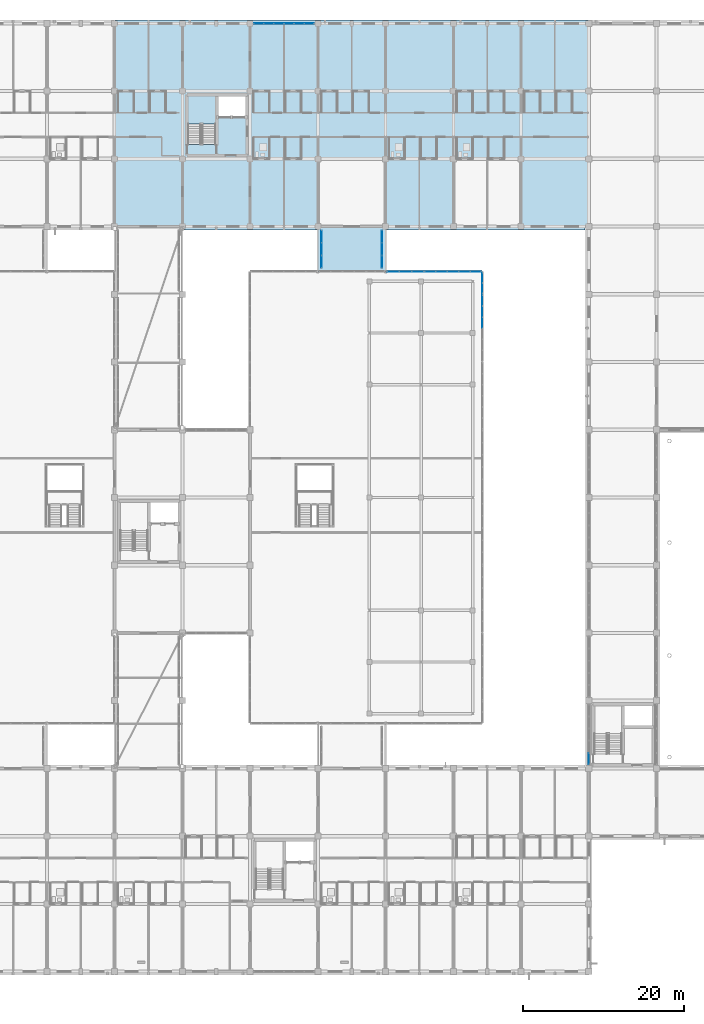
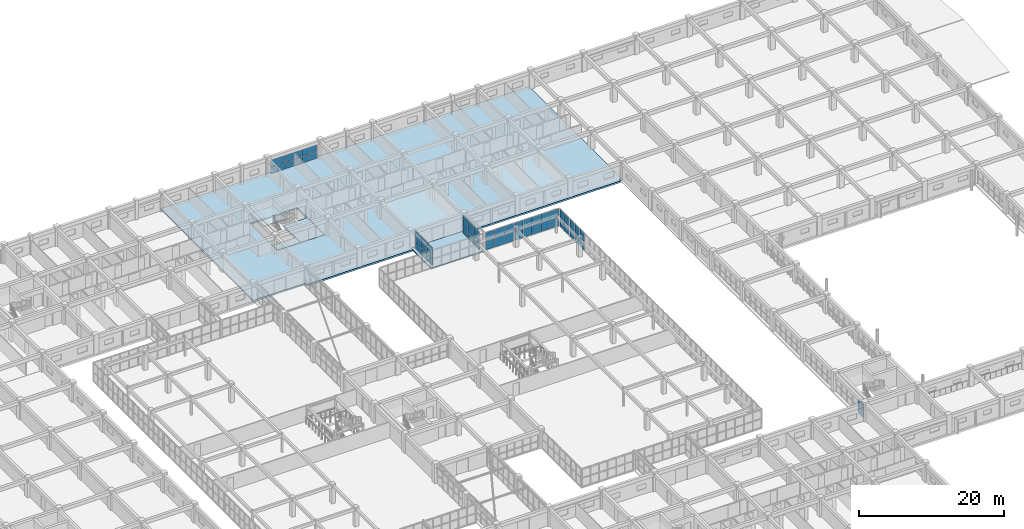
# One storey, part 156 of 200: 52 plates, 5 slabs, 9 elements without a shape of their own.
"""IFC4 building model written with IfcOpenShell, lengths in metres."""

from ifc_helpers import new_model, si_unit, direction, frame, origin, origin_2d, place, context, subcontext, project, spatial, polyline, rectangle, outline, extrude, material, layer, layer_set, type_object, element, aggregate, save


model = new_model("IFC4")

# Units and contexts
model_context = context("Model", 3, precision=1e-05, world=origin(), true_north=direction((0.0, 1.0)))
body_context = subcontext(model_context, "Body", "Model", "MODEL_VIEW")
ifc_project = project(units=[si_unit("LENGTHUNIT", "METRE"), si_unit("AREAUNIT", "SQUARE_METRE"), si_unit("VOLUMEUNIT", "CUBIC_METRE"), si_unit("PLANEANGLEUNIT", "RADIAN"), si_unit("MASSUNIT", "GRAM", prefix="KILO")], contexts=[model_context])

# Site, building, storey
site_placement = place(None, origin())
site = spatial("IfcSite", under=ifc_project, at=site_placement, CompositionType="ELEMENT")
building_placement = place(site_placement, origin())
building = spatial("IfcBuilding", under=site, at=building_placement, Name="Trelvath General Hospital", CompositionType="ELEMENT")
storey_placement = place(building_placement, frame((0.0, 0.0, 4.800048828125)))
storey = spatial("IfcBuildingStorey", under=building, at=storey_placement, Name="L01", CompositionType="ELEMENT", Elevation=4.800048828125)

# Slab
ifc_material_1 = material(Name="Concrete C35/45", Category="concrete")
ifc_layer_1 = layer(ifc_material_1, 0.18994140625)
ifc_layer_set_1 = layer_set([ifc_layer_1], Name="Concrete C35/45")
slab_type_1 = type_object("IfcSlabType", Name="BridgeDeck 190", PredefinedType="FLOOR", material=ifc_layer_set_1)
slab_1_placement = place(storey_placement, frame((0.0, 0.0, -0.18994140625)))
element("IfcSlab", 1, at=slab_1_placement, inside=storey, type_object=slab_type_1, Name="Courtyard Bridge Deck BRG-N-E L01", PredefinedType="FLOOR", context=body_context, shape_type="SweptSolid", body=[
    extrude(outline(polyline([(100.800048828125, 86.800048828125), (109.199951171875, 86.800048828125), (109.199951171875, 92.39990234375), (100.800048828125, 92.39990234375), (100.800048828125, 86.800048828125)])), origin(), (0.0, 0.0, 1.0), 0.18994140625),
])

# Curtain wall, plates
ifc_material_2 = material(Name="Anodised aluminium and low-E glass", Category="aluminium")
ifc_layer_2 = layer(ifc_material_2, 0.14990234375)
ifc_layer_set_2 = layer_set([ifc_layer_2], Name="Anodised aluminium and low-E glass")
curtain_wall_type_1 = type_object("IfcCurtainWallType", Name="CW CrystalCube 463 306 15", PredefinedType="USERDEFINED", material=ifc_layer_set_2)
curtain_wall_1_placement = place(storey_placement, origin())
curtain_wall_1 = element("IfcCurtainWall", 2, at=curtain_wall_1_placement, inside=storey, type_object=curtain_wall_type_1, Name="Crystal Cube Curtain Wall CUBE-E-T0 N4 L01", ObjectType="Unitised Glazed Curtain Wall", PredefinedType="USERDEFINED")
ifc_material_3 = material(Name="Low-E laminated glass", Category="glass")
ifc_layer_3 = layer(ifc_material_3, 0.028076171875)
ifc_layer_set_3 = layer_set([ifc_layer_3], Name="Low-E laminated glass")
plate_type_1 = type_object("IfcPlateType", Name="CurtainPanel Glass28", PredefinedType="CURTAIN_PANEL", material=ifc_layer_set_3)
plate_1_placement = place(storey_placement, frame((110.13671875, 86.800048828125, 0.06005859375), z_axis=(0.0, 0.0, 1.0), x_axis=(1.0, 0.0, 0.0)))
plate_1 = element("IfcPlate", 3, at=plate_1_placement, type_object=plate_type_1, Name="CW-158 panel 1.1", PredefinedType="CURTAIN_PANEL", context=body_context, shape_type="SweptSolid", body=[
    extrude(rectangle(XDim=1.453369140625, YDim=0.028076171875, at=origin_2d()), origin(), (0.0, 0.0, 1.0), 1.43994140625),
])
plate_2_placement = place(storey_placement, frame((110.13671875, 86.800048828125, 1.56005859375), z_axis=(0.0, 0.0, 1.0), x_axis=(1.0, 0.0, 0.0)))
plate_2 = element("IfcPlate", 4, at=plate_2_placement, type_object=plate_type_1, Name="CW-158 panel 1.2", PredefinedType="CURTAIN_PANEL", context=body_context, shape_type="SweptSolid", body=[
    extrude(rectangle(XDim=1.453369140625, YDim=0.028076171875, at=origin_2d()), origin(), (0.0, 0.0, 1.0), 1.43994140625),
])
plate_3_placement = place(storey_placement, frame((111.6650390625, 86.800048828125, 0.06005859375), z_axis=(0.0, 0.0, 1.0), x_axis=(1.0, 0.0, 0.0)))
plate_3 = element("IfcPlate", 5, at=plate_3_placement, type_object=plate_type_1, Name="CW-158 panel 2.1", PredefinedType="CURTAIN_PANEL", context=body_context, shape_type="SweptSolid", body=[
    extrude(rectangle(XDim=1.4833984375, YDim=0.028076171875, at=origin_2d()), origin(), (0.0, 0.0, 1.0), 1.43994140625),
])
plate_4_placement = place(storey_placement, frame((111.6650390625, 86.800048828125, 1.56005859375), z_axis=(0.0, 0.0, 1.0), x_axis=(1.0, 0.0, 0.0)))
plate_4 = element("IfcPlate", 6, at=plate_4_placement, type_object=plate_type_1, Name="CW-158 panel 2.2", PredefinedType="CURTAIN_PANEL", context=body_context, shape_type="SweptSolid", body=[
    extrude(rectangle(XDim=1.4833984375, YDim=0.028076171875, at=origin_2d()), origin(), (0.0, 0.0, 1.0), 1.43994140625),
])
plate_5_placement = place(storey_placement, frame((113.193359375, 86.800048828125, 0.06005859375), z_axis=(0.0, 0.0, 1.0), x_axis=(1.0, 0.0, 0.0)))
plate_5 = element("IfcPlate", 7, at=plate_5_placement, type_object=plate_type_1, Name="CW-158 panel 3.1", PredefinedType="CURTAIN_PANEL", context=body_context, shape_type="SweptSolid", body=[
    extrude(rectangle(XDim=1.453369140625, YDim=0.028076171875, at=origin_2d()), origin(), (0.0, 0.0, 1.0), 1.43994140625),
])
plate_6_placement = place(storey_placement, frame((113.193359375, 86.800048828125, 1.56005859375), z_axis=(0.0, 0.0, 1.0), x_axis=(1.0, 0.0, 0.0)))
plate_6 = element("IfcPlate", 8, at=plate_6_placement, type_object=plate_type_1, Name="CW-158 panel 3.2", PredefinedType="CURTAIN_PANEL", context=body_context, shape_type="SweptSolid", body=[
    extrude(rectangle(XDim=1.453369140625, YDim=0.028076171875, at=origin_2d()), origin(), (0.0, 0.0, 1.0), 1.43994140625),
])
aggregate(curtain_wall_1, [plate_1, plate_2, plate_3, plate_4, plate_5, plate_6])

ifc_material_4 = material(Name="Anodised aluminium and low-E glass", Category="aluminium")
ifc_layer_4 = layer(ifc_material_4, 0.14990234375)
ifc_layer_set_4 = layer_set([ifc_layer_4], Name="Anodised aluminium and low-E glass")
curtain_wall_type_2 = type_object("IfcCurtainWallType", Name="CW CrystalCube 710 306 15", PredefinedType="USERDEFINED", material=ifc_layer_set_4)
curtain_wall_2_placement = place(storey_placement, origin())
curtain_wall_2 = element("IfcCurtainWall", 9, at=curtain_wall_2_placement, inside=storey, type_object=curtain_wall_type_2, Name="Crystal Cube Curtain Wall CUBE-E-T0 N5 L01", ObjectType="Unitised Glazed Curtain Wall", PredefinedType="USERDEFINED")
plate_7_placement = place(storey_placement, frame((114.7451171875, 86.800048828125, 0.06005859375), z_axis=(0.0, 0.0, 1.0), x_axis=(1.0, 0.0, 0.0)))
plate_7 = element("IfcPlate", 10, at=plate_7_placement, type_object=plate_type_1, Name="CW-159 panel 1.1", PredefinedType="CURTAIN_PANEL", context=body_context, shape_type="SweptSolid", body=[
    extrude(rectangle(XDim=1.330078125, YDim=0.028076171875, at=origin_2d()), origin(), (0.0, 0.0, 1.0), 1.43994140625),
])
plate_8_placement = place(storey_placement, frame((114.7451171875, 86.800048828125, 1.56005859375), z_axis=(0.0, 0.0, 1.0), x_axis=(1.0, 0.0, 0.0)))
plate_8 = element("IfcPlate", 11, at=plate_8_placement, type_object=plate_type_1, Name="CW-159 panel 1.2", PredefinedType="CURTAIN_PANEL", context=body_context, shape_type="SweptSolid", body=[
    extrude(rectangle(XDim=1.330078125, YDim=0.028076171875, at=origin_2d()), origin(), (0.0, 0.0, 1.0), 1.43994140625),
])
plate_9_placement = place(storey_placement, frame((116.14990234375, 86.800048828125, 0.06005859375), z_axis=(0.0, 0.0, 1.0), x_axis=(1.0, 0.0, 0.0)))
plate_9 = element("IfcPlate", 12, at=plate_9_placement, type_object=plate_type_1, Name="CW-159 panel 2.1", PredefinedType="CURTAIN_PANEL", context=body_context, shape_type="SweptSolid", body=[
    extrude(rectangle(XDim=1.360107421875, YDim=0.028076171875, at=origin_2d()), origin(), (0.0, 0.0, 1.0), 1.43994140625),
])
plate_10_placement = place(storey_placement, frame((116.14990234375, 86.800048828125, 1.56005859375), z_axis=(0.0, 0.0, 1.0), x_axis=(1.0, 0.0, 0.0)))
plate_10 = element("IfcPlate", 13, at=plate_10_placement, type_object=plate_type_1, Name="CW-159 panel 2.2", PredefinedType="CURTAIN_PANEL", context=body_context, shape_type="SweptSolid", body=[
    extrude(rectangle(XDim=1.360107421875, YDim=0.028076171875, at=origin_2d()), origin(), (0.0, 0.0, 1.0), 1.43994140625),
])
plate_11_placement = place(storey_placement, frame((117.570068359375, 86.800048828125, 0.06005859375), z_axis=(0.0, 0.0, 1.0), x_axis=(1.0, 0.0, 0.0)))
plate_11 = element("IfcPlate", 14, at=plate_11_placement, type_object=plate_type_1, Name="CW-159 panel 3.1", PredefinedType="CURTAIN_PANEL", context=body_context, shape_type="SweptSolid", body=[
    extrude(rectangle(XDim=1.360107421875, YDim=0.028076171875, at=origin_2d()), origin(), (0.0, 0.0, 1.0), 1.43994140625),
])
plate_12_placement = place(storey_placement, frame((117.570068359375, 86.800048828125, 1.56005859375), z_axis=(0.0, 0.0, 1.0), x_axis=(1.0, 0.0, 0.0)))
plate_12 = element("IfcPlate", 15, at=plate_12_placement, type_object=plate_type_1, Name="CW-159 panel 3.2", PredefinedType="CURTAIN_PANEL", context=body_context, shape_type="SweptSolid", body=[
    extrude(rectangle(XDim=1.360107421875, YDim=0.028076171875, at=origin_2d()), origin(), (0.0, 0.0, 1.0), 1.43994140625),
])
plate_13_placement = place(storey_placement, frame((118.989990234375, 86.800048828125, 0.06005859375), z_axis=(0.0, 0.0, 1.0), x_axis=(1.0, 0.0, 0.0)))
plate_13 = element("IfcPlate", 16, at=plate_13_placement, type_object=plate_type_1, Name="CW-159 panel 4.1", PredefinedType="CURTAIN_PANEL", context=body_context, shape_type="SweptSolid", body=[
    extrude(rectangle(XDim=1.360107421875, YDim=0.028076171875, at=origin_2d()), origin(), (0.0, 0.0, 1.0), 1.43994140625),
])
plate_14_placement = place(storey_placement, frame((118.989990234375, 86.800048828125, 1.56005859375), z_axis=(0.0, 0.0, 1.0), x_axis=(1.0, 0.0, 0.0)))
plate_14 = element("IfcPlate", 17, at=plate_14_placement, type_object=plate_type_1, Name="CW-159 panel 4.2", PredefinedType="CURTAIN_PANEL", context=body_context, shape_type="SweptSolid", body=[
    extrude(rectangle(XDim=1.360107421875, YDim=0.028076171875, at=origin_2d()), origin(), (0.0, 0.0, 1.0), 1.43994140625),
])
plate_15_placement = place(storey_placement, frame((120.39501953125, 86.800048828125, 0.06005859375), z_axis=(0.0, 0.0, 1.0), x_axis=(1.0, 0.0, 0.0)))
plate_15 = element("IfcPlate", 18, at=plate_15_placement, type_object=plate_type_1, Name="CW-159 panel 5.1", PredefinedType="CURTAIN_PANEL", context=body_context, shape_type="SweptSolid", body=[
    extrude(rectangle(XDim=1.330078125, YDim=0.028076171875, at=origin_2d()), origin(), (0.0, 0.0, 1.0), 1.43994140625),
])
plate_16_placement = place(storey_placement, frame((120.39501953125, 86.800048828125, 1.56005859375), z_axis=(0.0, 0.0, 1.0), x_axis=(1.0, 0.0, 0.0)))
plate_16 = element("IfcPlate", 19, at=plate_16_placement, type_object=plate_type_1, Name="CW-159 panel 5.2", PredefinedType="CURTAIN_PANEL", context=body_context, shape_type="SweptSolid", body=[
    extrude(rectangle(XDim=1.330078125, YDim=0.028076171875, at=origin_2d()), origin(), (0.0, 0.0, 1.0), 1.43994140625),
])
aggregate(curtain_wall_2, [plate_7, plate_8, plate_9, plate_10, plate_11, plate_12, plate_13, plate_14, plate_15, plate_16])

ifc_material_5 = material(Name="Anodised aluminium and low-E glass", Category="aluminium")
ifc_layer_5 = layer(ifc_material_5, 0.14990234375)
ifc_layer_set_5 = layer_set([ifc_layer_5], Name="Anodised aluminium and low-E glass")
curtain_wall_type_3 = type_object("IfcCurtainWallType", Name="CW CrystalCube 824 306 15", PredefinedType="USERDEFINED", material=ifc_layer_set_5)
curtain_wall_3_placement = place(storey_placement, origin())
curtain_wall_3 = element("IfcCurtainWall", 20, at=curtain_wall_3_placement, inside=storey, type_object=curtain_wall_type_3, Name="Crystal Cube Curtain Wall CUBE-E-T0 E6 L01", ObjectType="Unitised Glazed Curtain Wall", PredefinedType="USERDEFINED")
plate_17_placement = place(storey_placement, frame((121.199951171875, 83.21826171875, 0.06005859375), z_axis=(0.0, 0.0, 1.0), x_axis=(0.0, -1.0, 0.0)))
plate_17 = element("IfcPlate", 21, at=plate_17_placement, type_object=plate_type_1, Name="CW-168 panel 1.1", PredefinedType="CURTAIN_PANEL", context=body_context, shape_type="SweptSolid", body=[
    extrude(rectangle(XDim=1.283447265625, YDim=0.028076171875, at=origin_2d()), origin(), (0.0, 0.0, 1.0), 1.43994140625),
])
plate_18_placement = place(storey_placement, frame((121.199951171875, 83.21826171875, 1.56005859375), z_axis=(0.0, 0.0, 1.0), x_axis=(0.0, -1.0, 0.0)))
plate_18 = element("IfcPlate", 22, at=plate_18_placement, type_object=plate_type_1, Name="CW-168 panel 1.2", PredefinedType="CURTAIN_PANEL", context=body_context, shape_type="SweptSolid", body=[
    extrude(rectangle(XDim=1.283447265625, YDim=0.028076171875, at=origin_2d()), origin(), (0.0, 0.0, 1.0), 1.43994140625),
])
plate_19_placement = place(storey_placement, frame((121.199951171875, 81.860107421875, 0.06005859375), z_axis=(0.0, 0.0, 1.0), x_axis=(0.0, -1.0, 0.0)))
plate_19 = element("IfcPlate", 23, at=plate_19_placement, type_object=plate_type_1, Name="CW-168 panel 2.1", PredefinedType="CURTAIN_PANEL", context=body_context, shape_type="SweptSolid", body=[
    extrude(rectangle(XDim=1.313232421875, YDim=0.028076171875, at=origin_2d()), origin(), (0.0, 0.0, 1.0), 1.43994140625),
])
plate_20_placement = place(storey_placement, frame((121.199951171875, 81.860107421875, 1.56005859375), z_axis=(0.0, 0.0, 1.0), x_axis=(0.0, -1.0, 0.0)))
plate_20 = element("IfcPlate", 24, at=plate_20_placement, type_object=plate_type_1, Name="CW-168 panel 2.2", PredefinedType="CURTAIN_PANEL", context=body_context, shape_type="SweptSolid", body=[
    extrude(rectangle(XDim=1.313232421875, YDim=0.028076171875, at=origin_2d()), origin(), (0.0, 0.0, 1.0), 1.43994140625),
])
plate_21_placement = place(storey_placement, frame((121.199951171875, 80.486572265625, 0.06005859375), z_axis=(0.0, 0.0, 1.0), x_axis=(0.0, -1.0, 0.0)))
plate_21 = element("IfcPlate", 25, at=plate_21_placement, type_object=plate_type_1, Name="CW-168 panel 3.1", PredefinedType="CURTAIN_PANEL", context=body_context, shape_type="SweptSolid", body=[
    extrude(rectangle(XDim=1.313232421875, YDim=0.028076171875, at=origin_2d()), origin(), (0.0, 0.0, 1.0), 1.43994140625),
])
plate_22_placement = place(storey_placement, frame((121.199951171875, 80.486572265625, 1.56005859375), z_axis=(0.0, 0.0, 1.0), x_axis=(0.0, -1.0, 0.0)))
plate_22 = element("IfcPlate", 26, at=plate_22_placement, type_object=plate_type_1, Name="CW-168 panel 3.2", PredefinedType="CURTAIN_PANEL", context=body_context, shape_type="SweptSolid", body=[
    extrude(rectangle(XDim=1.313232421875, YDim=0.028076171875, at=origin_2d()), origin(), (0.0, 0.0, 1.0), 1.43994140625),
])
aggregate(curtain_wall_3, [plate_17, plate_18, plate_19, plate_20, plate_21, plate_22])

ifc_material_6 = material(Name="Anodised aluminium and low-E glass", Category="aluminium")
ifc_layer_6 = layer(ifc_material_6, 0.14990234375)
ifc_layer_set_6 = layer_set([ifc_layer_6], Name="Anodised aluminium and low-E glass")
curtain_wall_type_4 = type_object("IfcCurtainWallType", Name="CW CrystalCube 264 306 15", PredefinedType="USERDEFINED", material=ifc_layer_set_6)
curtain_wall_4_placement = place(storey_placement, origin())
curtain_wall_4 = element("IfcCurtainWall", 27, at=curtain_wall_4_placement, inside=storey, type_object=curtain_wall_type_4, Name="Crystal Cube Curtain Wall CUBE-E-T0 E7 L01", ObjectType="Unitised Glazed Curtain Wall", PredefinedType="USERDEFINED")
plate_23_placement = place(storey_placement, frame((121.199951171875, 86.044921875, 0.06005859375), z_axis=(0.0, 0.0, 1.0), x_axis=(0.0, -1.0, 0.0)))
plate_23 = element("IfcPlate", 28, at=plate_23_placement, type_object=plate_type_1, Name="CW-170 panel 1.1", PredefinedType="CURTAIN_PANEL", context=body_context, shape_type="SweptSolid", body=[
    extrude(rectangle(XDim=1.22998046875, YDim=0.028076171875, at=origin_2d()), origin(), (0.0, 0.0, 1.0), 1.43994140625),
])
plate_24_placement = place(storey_placement, frame((121.199951171875, 86.044921875, 1.56005859375), z_axis=(0.0, 0.0, 1.0), x_axis=(0.0, -1.0, 0.0)))
plate_24 = element("IfcPlate", 29, at=plate_24_placement, type_object=plate_type_1, Name="CW-170 panel 1.2", PredefinedType="CURTAIN_PANEL", context=body_context, shape_type="SweptSolid", body=[
    extrude(rectangle(XDim=1.22998046875, YDim=0.028076171875, at=origin_2d()), origin(), (0.0, 0.0, 1.0), 1.43994140625),
])
plate_25_placement = place(storey_placement, frame((121.199951171875, 84.7548828125, 0.06005859375), z_axis=(0.0, 0.0, 1.0), x_axis=(0.0, -1.0, 0.0)))
plate_25 = element("IfcPlate", 30, at=plate_25_placement, type_object=plate_type_1, Name="CW-170 panel 2.1", PredefinedType="CURTAIN_PANEL", context=body_context, shape_type="SweptSolid", body=[
    extrude(rectangle(XDim=1.22998046875, YDim=0.028076171875, at=origin_2d()), origin(), (0.0, 0.0, 1.0), 1.43994140625),
])
plate_26_placement = place(storey_placement, frame((121.199951171875, 84.7548828125, 1.56005859375), z_axis=(0.0, 0.0, 1.0), x_axis=(0.0, -1.0, 0.0)))
plate_26 = element("IfcPlate", 31, at=plate_26_placement, type_object=plate_type_1, Name="CW-170 panel 2.2", PredefinedType="CURTAIN_PANEL", context=body_context, shape_type="SweptSolid", body=[
    extrude(rectangle(XDim=1.22998046875, YDim=0.028076171875, at=origin_2d()), origin(), (0.0, 0.0, 1.0), 1.43994140625),
])
aggregate(curtain_wall_4, [plate_23, plate_24, plate_25, plate_26])

ifc_material_7 = material(Name="Anodised aluminium and low-E glass", Category="aluminium")
ifc_layer_7 = layer(ifc_material_7, 0.139892578125)
ifc_layer_set_7 = layer_set([ifc_layer_7], Name="Anodised aluminium and low-E glass")
curtain_wall_type_5 = type_object("IfcCurtainWallType", Name="CW Bridge 472 311", PredefinedType="USERDEFINED", material=ifc_layer_set_7)
curtain_wall_5_placement = place(storey_placement, origin())
curtain_wall_5 = element("IfcCurtainWall", 32, at=curtain_wall_5_placement, inside=storey, type_object=curtain_wall_type_5, Name="Glazed Bridge Curtain Wall BRG-N-E W L01", ObjectType="Unitised Glazed Curtain Wall", PredefinedType="USERDEFINED")
plate_27_placement = place(storey_placement, frame((101.239990234375, 88.041748046875, 0.06005859375), z_axis=(0.0, 0.0, 1.0), x_axis=(0.0, 1.0, 0.0)))
plate_27 = element("IfcPlate", 33, at=plate_27_placement, type_object=plate_type_1, Name="CW-186 panel 1.1", PredefinedType="CURTAIN_PANEL", context=body_context, shape_type="SweptSolid", body=[
    extrude(rectangle(XDim=1.4833984375, YDim=0.028076171875, at=origin_2d()), origin(), (0.0, 0.0, 1.0), 1.010009765625),
])
plate_28_placement = place(storey_placement, frame((101.239990234375, 88.041748046875, 1.1298828125), z_axis=(0.0, 0.0, 1.0), x_axis=(0.0, 1.0, 0.0)))
plate_28 = element("IfcPlate", 34, at=plate_28_placement, type_object=plate_type_1, Name="CW-186 panel 1.2", PredefinedType="CURTAIN_PANEL", context=body_context, shape_type="SweptSolid", body=[
    extrude(rectangle(XDim=1.4833984375, YDim=0.028076171875, at=origin_2d()), origin(), (0.0, 0.0, 1.0), 1.919921875),
])
plate_29_placement = place(storey_placement, frame((101.239990234375, 89.60009765625, 0.06005859375), z_axis=(0.0, 0.0, 1.0), x_axis=(0.0, 1.0, 0.0)))
plate_29 = element("IfcPlate", 35, at=plate_29_placement, type_object=plate_type_1, Name="CW-186 panel 2.1", PredefinedType="CURTAIN_PANEL", context=body_context, shape_type="SweptSolid", body=[
    extrude(rectangle(XDim=1.513427734375, YDim=0.028076171875, at=origin_2d()), origin(), (0.0, 0.0, 1.0), 1.010009765625),
])
plate_30_placement = place(storey_placement, frame((101.239990234375, 89.60009765625, 1.1298828125), z_axis=(0.0, 0.0, 1.0), x_axis=(0.0, 1.0, 0.0)))
plate_30 = element("IfcPlate", 36, at=plate_30_placement, type_object=plate_type_1, Name="CW-186 panel 2.2", PredefinedType="CURTAIN_PANEL", context=body_context, shape_type="SweptSolid", body=[
    extrude(rectangle(XDim=1.513427734375, YDim=0.028076171875, at=origin_2d()), origin(), (0.0, 0.0, 1.0), 1.919921875),
])
plate_31_placement = place(storey_placement, frame((101.239990234375, 91.158447265625, 0.06005859375), z_axis=(0.0, 0.0, 1.0), x_axis=(0.0, 1.0, 0.0)))
plate_31 = element("IfcPlate", 37, at=plate_31_placement, type_object=plate_type_1, Name="CW-186 panel 3.1", PredefinedType="CURTAIN_PANEL", context=body_context, shape_type="SweptSolid", body=[
    extrude(rectangle(XDim=1.4833984375, YDim=0.028076171875, at=origin_2d()), origin(), (0.0, 0.0, 1.0), 1.010009765625),
])
plate_32_placement = place(storey_placement, frame((101.239990234375, 91.158447265625, 1.1298828125), z_axis=(0.0, 0.0, 1.0), x_axis=(0.0, 1.0, 0.0)))
plate_32 = element("IfcPlate", 38, at=plate_32_placement, type_object=plate_type_1, Name="CW-186 panel 3.2", PredefinedType="CURTAIN_PANEL", context=body_context, shape_type="SweptSolid", body=[
    extrude(rectangle(XDim=1.4833984375, YDim=0.028076171875, at=origin_2d()), origin(), (0.0, 0.0, 1.0), 1.919921875),
])
aggregate(curtain_wall_5, [plate_27, plate_28, plate_29, plate_30, plate_31, plate_32])

curtain_wall_6_placement = place(storey_placement, origin())
curtain_wall_6 = element("IfcCurtainWall", 39, at=curtain_wall_6_placement, inside=storey, type_object=curtain_wall_type_5, Name="Glazed Bridge Curtain Wall BRG-N-E E L01", ObjectType="Unitised Glazed Curtain Wall", PredefinedType="USERDEFINED")
plate_33_placement = place(storey_placement, frame((108.760009765625, 91.158447265625, 0.06005859375), z_axis=(0.0, 0.0, 1.0), x_axis=(0.0, -1.0, 0.0)))
plate_33 = element("IfcPlate", 40, at=plate_33_placement, type_object=plate_type_1, Name="CW-187 panel 1.1", PredefinedType="CURTAIN_PANEL", context=body_context, shape_type="SweptSolid", body=[
    extrude(rectangle(XDim=1.4833984375, YDim=0.028076171875, at=origin_2d()), origin(), (0.0, 0.0, 1.0), 1.010009765625),
])
plate_34_placement = place(storey_placement, frame((108.760009765625, 91.158447265625, 1.1298828125), z_axis=(0.0, 0.0, 1.0), x_axis=(0.0, -1.0, 0.0)))
plate_34 = element("IfcPlate", 41, at=plate_34_placement, type_object=plate_type_1, Name="CW-187 panel 1.2", PredefinedType="CURTAIN_PANEL", context=body_context, shape_type="SweptSolid", body=[
    extrude(rectangle(XDim=1.4833984375, YDim=0.028076171875, at=origin_2d()), origin(), (0.0, 0.0, 1.0), 1.919921875),
])
plate_35_placement = place(storey_placement, frame((108.760009765625, 89.60009765625, 0.06005859375), z_axis=(0.0, 0.0, 1.0), x_axis=(0.0, -1.0, 0.0)))
plate_35 = element("IfcPlate", 42, at=plate_35_placement, type_object=plate_type_1, Name="CW-187 panel 2.1", PredefinedType="CURTAIN_PANEL", context=body_context, shape_type="SweptSolid", body=[
    extrude(rectangle(XDim=1.513427734375, YDim=0.028076171875, at=origin_2d()), origin(), (0.0, 0.0, 1.0), 1.010009765625),
])
plate_36_placement = place(storey_placement, frame((108.760009765625, 89.60009765625, 1.1298828125), z_axis=(0.0, 0.0, 1.0), x_axis=(0.0, -1.0, 0.0)))
plate_36 = element("IfcPlate", 43, at=plate_36_placement, type_object=plate_type_1, Name="CW-187 panel 2.2", PredefinedType="CURTAIN_PANEL", context=body_context, shape_type="SweptSolid", body=[
    extrude(rectangle(XDim=1.513427734375, YDim=0.028076171875, at=origin_2d()), origin(), (0.0, 0.0, 1.0), 1.919921875),
])
plate_37_placement = place(storey_placement, frame((108.760009765625, 88.041748046875, 0.06005859375), z_axis=(0.0, 0.0, 1.0), x_axis=(0.0, -1.0, 0.0)))
plate_37 = element("IfcPlate", 44, at=plate_37_placement, type_object=plate_type_1, Name="CW-187 panel 3.1", PredefinedType="CURTAIN_PANEL", context=body_context, shape_type="SweptSolid", body=[
    extrude(rectangle(XDim=1.4833984375, YDim=0.028076171875, at=origin_2d()), origin(), (0.0, 0.0, 1.0), 1.010009765625),
])
plate_38_placement = place(storey_placement, frame((108.760009765625, 88.041748046875, 1.1298828125), z_axis=(0.0, 0.0, 1.0), x_axis=(0.0, -1.0, 0.0)))
plate_38 = element("IfcPlate", 45, at=plate_38_placement, type_object=plate_type_1, Name="CW-187 panel 3.2", PredefinedType="CURTAIN_PANEL", context=body_context, shape_type="SweptSolid", body=[
    extrude(rectangle(XDim=1.4833984375, YDim=0.028076171875, at=origin_2d()), origin(), (0.0, 0.0, 1.0), 1.919921875),
])
aggregate(curtain_wall_6, [plate_33, plate_34, plate_35, plate_36, plate_37, plate_38])

ifc_material_8 = material(Name="Anodised aluminium and low-E glass", Category="aluminium")
ifc_layer_8 = layer(ifc_material_8, 0.179931640625)
ifc_layer_set_8 = layer_set([ifc_layer_8], Name="Anodised aluminium and low-E glass")
curtain_wall_type_6 = type_object("IfcCurtainWallType", Name="CW Facade 754 242 18", PredefinedType="USERDEFINED", material=ifc_layer_set_8)
curtain_wall_7_placement = place(storey_placement, origin())
curtain_wall_7 = element("IfcCurtainWall", 46, at=curtain_wall_7_placement, inside=storey, type_object=curtain_wall_type_6, Name="Facade Curtain Wall CW-020", ObjectType="Unitised Glazed Curtain Wall", PredefinedType="USERDEFINED")
ifc_material_9 = material(Name="Low-E laminated glass", Category="glass")
ifc_layer_9 = layer(ifc_material_9, 0.035888671875)
ifc_layer_set_9 = layer_set([ifc_layer_9], Name="Low-E laminated glass")
plate_type_2 = type_object("IfcPlateType", Name="CurtainPanel Glass36", PredefinedType="CURTAIN_PANEL", material=ifc_layer_set_9)
plate_39_placement = place(storey_placement, frame((134.39990234375, 26.400146484375, 0.06494140625), z_axis=(0.0, 0.0, 1.0), x_axis=(0.0, 1.0, 0.0)))
plate_39 = element("IfcPlate", 47, at=plate_39_placement, type_object=plate_type_2, Name="CW-020 panel 1.1", PredefinedType="CURTAIN_PANEL", context=body_context, shape_type="SweptSolid", body=[
    extrude(rectangle(XDim=1.410400390625, YDim=0.035888671875, at=origin_2d()), origin(), (0.0, 0.0, 1.0), 1.064453125),
])
plate_40_placement = place(storey_placement, frame((134.39990234375, 26.400146484375, 1.1943359375), z_axis=(0.0, 0.0, 1.0), x_axis=(0.0, 1.0, 0.0)))
plate_40 = element("IfcPlate", 48, at=plate_40_placement, type_object=plate_type_2, Name="CW-020 panel 1.2", PredefinedType="CURTAIN_PANEL", context=body_context, shape_type="SweptSolid", body=[
    extrude(rectangle(XDim=1.410400390625, YDim=0.035888671875, at=origin_2d()), origin(), (0.0, 0.0, 1.0), 1.160400390625),
])
aggregate(curtain_wall_7, [plate_39, plate_40])

ifc_material_10 = material(Name="Anodised aluminium and low-E glass", Category="aluminium")
ifc_layer_10 = layer(ifc_material_10, 0.159912109375)
ifc_layer_set_10 = layer_set([ifc_layer_10], Name="Anodised aluminium and low-E glass")
curtain_wall_type_7 = type_object("IfcCurtainWallType", Name="CW Facade 754 242 16", PredefinedType="USERDEFINED", material=ifc_layer_set_10)
curtain_wall_8_placement = place(storey_placement, origin())
curtain_wall_8 = element("IfcCurtainWall", 49, at=curtain_wall_8_placement, inside=storey, type_object=curtain_wall_type_7, Name="Facade Curtain Wall CW-019", ObjectType="Unitised Glazed Curtain Wall", PredefinedType="USERDEFINED")
ifc_material_11 = material(Name="Insulated aluminium spandrel", Category="aluminium")
ifc_layer_11 = layer(ifc_material_11, 0.0439453125)
ifc_layer_set_11 = layer_set([ifc_layer_11], Name="Insulated aluminium spandrel")
plate_type_3 = type_object("IfcPlateType", Name="CurtainPanel Spandrel44", PredefinedType="CURTAIN_PANEL", material=ifc_layer_set_11)
plate_41_placement = place(storey_placement, frame((93.473388671875, 117.60009765625, 0.06005859375), z_axis=(0.0, 0.0, 1.0), x_axis=(1.0, 0.0, 0.0)))
plate_41 = element("IfcPlate", 50, at=plate_41_placement, type_object=plate_type_3, Name="CW-019 panel 1.1", PredefinedType="CURTAIN_PANEL", context=body_context, shape_type="SweptSolid", body=[
    extrude(rectangle(XDim=1.166748046875, YDim=0.0439453125, at=origin_2d()), origin(), (0.0, 0.0, 1.0), 1.072021484375),
])
plate_42_placement = place(storey_placement, frame((93.473388671875, 117.60009765625, 1.19189453125), z_axis=(0.0, 0.0, 1.0), x_axis=(1.0, 0.0, 0.0)))
plate_42 = element("IfcPlate", 51, at=plate_42_placement, type_object=plate_type_3, Name="CW-019 panel 1.2", PredefinedType="CURTAIN_PANEL", context=body_context, shape_type="SweptSolid", body=[
    extrude(rectangle(XDim=1.166748046875, YDim=0.0439453125, at=origin_2d()), origin(), (0.0, 0.0, 1.0), 1.16796875),
])
plate_43_placement = place(storey_placement, frame((94.715087890625, 117.60009765625, 0.06005859375), z_axis=(0.0, 0.0, 1.0), x_axis=(1.0, 0.0, 0.0)))
plate_43 = element("IfcPlate", 52, at=plate_43_placement, type_object=plate_type_3, Name="CW-019 panel 2.1", PredefinedType="CURTAIN_PANEL", context=body_context, shape_type="SweptSolid", body=[
    extrude(rectangle(XDim=1.19677734375, YDim=0.0439453125, at=origin_2d()), origin(), (0.0, 0.0, 1.0), 1.072021484375),
])
plate_44_placement = place(storey_placement, frame((94.715087890625, 117.60009765625, 1.19189453125), z_axis=(0.0, 0.0, 1.0), x_axis=(1.0, 0.0, 0.0)))
plate_44 = element("IfcPlate", 53, at=plate_44_placement, type_object=plate_type_3, Name="CW-019 panel 2.2", PredefinedType="CURTAIN_PANEL", context=body_context, shape_type="SweptSolid", body=[
    extrude(rectangle(XDim=1.19677734375, YDim=0.0439453125, at=origin_2d()), origin(), (0.0, 0.0, 1.0), 1.16796875),
])
plate_45_placement = place(storey_placement, frame((95.9716796875, 117.60009765625, 0.06005859375), z_axis=(0.0, 0.0, 1.0), x_axis=(1.0, 0.0, 0.0)))
plate_45 = element("IfcPlate", 54, at=plate_45_placement, type_object=plate_type_3, Name="CW-019 panel 3.1", PredefinedType="CURTAIN_PANEL", context=body_context, shape_type="SweptSolid", body=[
    extrude(rectangle(XDim=1.19677734375, YDim=0.0439453125, at=origin_2d()), origin(), (0.0, 0.0, 1.0), 1.072021484375),
])
plate_46_placement = place(storey_placement, frame((95.9716796875, 117.60009765625, 1.19189453125), z_axis=(0.0, 0.0, 1.0), x_axis=(1.0, 0.0, 0.0)))
plate_46 = element("IfcPlate", 55, at=plate_46_placement, type_object=plate_type_3, Name="CW-019 panel 3.2", PredefinedType="CURTAIN_PANEL", context=body_context, shape_type="SweptSolid", body=[
    extrude(rectangle(XDim=1.19677734375, YDim=0.0439453125, at=origin_2d()), origin(), (0.0, 0.0, 1.0), 1.16796875),
])
plate_47_placement = place(storey_placement, frame((97.228271484375, 117.60009765625, 0.06005859375), z_axis=(0.0, 0.0, 1.0), x_axis=(1.0, 0.0, 0.0)))
plate_47 = element("IfcPlate", 56, at=plate_47_placement, type_object=plate_type_3, Name="CW-019 panel 4.1", PredefinedType="CURTAIN_PANEL", context=body_context, shape_type="SweptSolid", body=[
    extrude(rectangle(XDim=1.19677734375, YDim=0.0439453125, at=origin_2d()), origin(), (0.0, 0.0, 1.0), 1.072021484375),
])
plate_48_placement = place(storey_placement, frame((97.228271484375, 117.60009765625, 1.19189453125), z_axis=(0.0, 0.0, 1.0), x_axis=(1.0, 0.0, 0.0)))
plate_48 = element("IfcPlate", 57, at=plate_48_placement, type_object=plate_type_3, Name="CW-019 panel 4.2", PredefinedType="CURTAIN_PANEL", context=body_context, shape_type="SweptSolid", body=[
    extrude(rectangle(XDim=1.19677734375, YDim=0.0439453125, at=origin_2d()), origin(), (0.0, 0.0, 1.0), 1.16796875),
])
plate_49_placement = place(storey_placement, frame((98.485107421875, 117.60009765625, 0.06005859375), z_axis=(0.0, 0.0, 1.0), x_axis=(1.0, 0.0, 0.0)))
plate_49 = element("IfcPlate", 58, at=plate_49_placement, type_object=plate_type_3, Name="CW-019 panel 5.1", PredefinedType="CURTAIN_PANEL", context=body_context, shape_type="SweptSolid", body=[
    extrude(rectangle(XDim=1.19677734375, YDim=0.0439453125, at=origin_2d()), origin(), (0.0, 0.0, 1.0), 1.072021484375),
])
plate_50_placement = place(storey_placement, frame((98.485107421875, 117.60009765625, 1.19189453125), z_axis=(0.0, 0.0, 1.0), x_axis=(1.0, 0.0, 0.0)))
plate_50 = element("IfcPlate", 59, at=plate_50_placement, type_object=plate_type_3, Name="CW-019 panel 5.2", PredefinedType="CURTAIN_PANEL", context=body_context, shape_type="SweptSolid", body=[
    extrude(rectangle(XDim=1.19677734375, YDim=0.0439453125, at=origin_2d()), origin(), (0.0, 0.0, 1.0), 1.16796875),
])
plate_51_placement = place(storey_placement, frame((99.7265625, 117.60009765625, 0.06005859375), z_axis=(0.0, 0.0, 1.0), x_axis=(1.0, 0.0, 0.0)))
plate_51 = element("IfcPlate", 60, at=plate_51_placement, type_object=plate_type_3, Name="CW-019 panel 6.1", PredefinedType="CURTAIN_PANEL", context=body_context, shape_type="SweptSolid", body=[
    extrude(rectangle(XDim=1.166748046875, YDim=0.0439453125, at=origin_2d()), origin(), (0.0, 0.0, 1.0), 1.072021484375),
])
plate_52_placement = place(storey_placement, frame((99.7265625, 117.60009765625, 1.19189453125), z_axis=(0.0, 0.0, 1.0), x_axis=(1.0, 0.0, 0.0)))
plate_52 = element("IfcPlate", 61, at=plate_52_placement, type_object=plate_type_3, Name="CW-019 panel 6.2", PredefinedType="CURTAIN_PANEL", context=body_context, shape_type="SweptSolid", body=[
    extrude(rectangle(XDim=1.166748046875, YDim=0.0439453125, at=origin_2d()), origin(), (0.0, 0.0, 1.0), 1.16796875),
])
aggregate(curtain_wall_8, [plate_41, plate_42, plate_43, plate_44, plate_45, plate_46, plate_47, plate_48, plate_49, plate_50, plate_51, plate_52])

# Slabs
ifc_material_12 = material(Name="Concrete C35/45", Category="concrete")
ifc_layer_12 = layer(ifc_material_12, 0.280029296875)
ifc_layer_set_12 = layer_set([ifc_layer_12], Name="Concrete C35/45")
slab_type_2 = type_object("IfcSlabType", Name="FlatSlab Clinical280", PredefinedType="FLOOR", material=ifc_layer_set_12)
slab_2_placement = place(storey_placement, frame((0.0, 0.0, -0.280029296875)))
element("IfcSlab", 62, at=slab_2_placement, inside=storey, type_object=slab_type_2, Name="Floor Slab SL-L01-V5-N1", PredefinedType="FLOOR", context=body_context, shape_type="SweptSolid", body=[
    extrude(outline(polyline([(75.6201171875, 92.39990234375), (75.6201171875, 118.02001953125), (134.3798828125, 118.02001953125), (134.3798828125, 92.39990234375), (133.9599609375, 92.39990234375), (133.9599609375, 91.97998046875), (109.199951171875, 91.97998046875), (109.199951171875, 92.39990234375), (100.800048828125, 92.39990234375), (100.800048828125, 91.97998046875), (84.0, 91.97998046875), (84.0, 92.39990234375), (75.6201171875, 92.39990234375)]), holes=[polyline([(84.550048828125, 101.199951171875), (92.050048828125, 101.199951171875), (92.050048828125, 108.75), (84.550048828125, 108.75), (84.550048828125, 101.199951171875)])]), origin(), (0.0, 0.0, 1.0), 0.280029296875),
])
slab_3_placement = place(storey_placement, frame((0.0, 0.0, -0.280029296875)))
element("IfcSlab", 63, at=slab_3_placement, inside=storey, type_object=slab_type_2, Name="Core Lobby Slab C2 L01", PredefinedType="FLOOR", context=body_context, shape_type="SweptSolid", body=[
    extrude(outline(polyline([(88.25, 101.199951171875), (92.050048828125, 101.199951171875), (92.050048828125, 105.949951171875), (88.25, 105.949951171875), (88.25, 101.199951171875)])), origin(), (0.0, 0.0, 1.0), 0.280029296875),
])
slab_4_placement = place(storey_placement, frame((0.0, 0.0, -0.280029296875)))
element("IfcSlab", 64, at=slab_4_placement, inside=storey, type_object=slab_type_2, Name="Stair Landing Slab C2 L01", PredefinedType="FLOOR", context=body_context, shape_type="SweptSolid", body=[
    extrude(outline(polyline([(84.550048828125, 101.199951171875), (88.25, 101.199951171875), (88.25, 102.60009765625), (84.550048828125, 102.60009765625), (84.550048828125, 101.199951171875)])), origin(), (0.0, 0.0, 1.0), 0.280029296875),
])

# Stair, slab
ifc_material_13 = material(Name="Concrete C35/45", Category="concrete")
stair_type = type_object("IfcStairType", Name="Stair Stretcher330", PredefinedType="TWO_STRAIGHT_RUN_STAIR", material=ifc_material_13)
stair_placement = place(storey_placement, origin())
stair = element("IfcStair", 65, at=stair_placement, inside=storey, type_object=stair_type, Name="Exit Stair ST2 L01", PredefinedType="TWO_STRAIGHT_RUN_STAIR")
ifc_material_14 = material(Name="Concrete C35/45", Category="concrete")
ifc_layer_13 = layer(ifc_material_14, 0.199951171875)
ifc_layer_set_13 = layer_set([ifc_layer_13], Name="Concrete C35/45")
slab_type_3 = type_object("IfcSlabType", Name="StairLanding 200", PredefinedType="LANDING", material=ifc_layer_set_13)
slab_5_placement = place(storey_placement, frame((0.0, 0.0, 1.449951171875)))
slab_5 = element("IfcSlab", 66, at=slab_5_placement, type_object=slab_type_3, Name="ST2-L01 landing 1", PredefinedType="LANDING", context=body_context, shape_type="SweptSolid", body=[
    extrude(outline(polyline([(84.56005859375, 105.1201171875), (88.239990234375, 105.1201171875), (88.239990234375, 108.739990234375), (84.56005859375, 108.739990234375), (84.56005859375, 105.1201171875)])), origin(), (0.0, 0.0, 1.0), 0.199951171875),
])
aggregate(stair, [slab_5])

save(model, "model.ifc")
